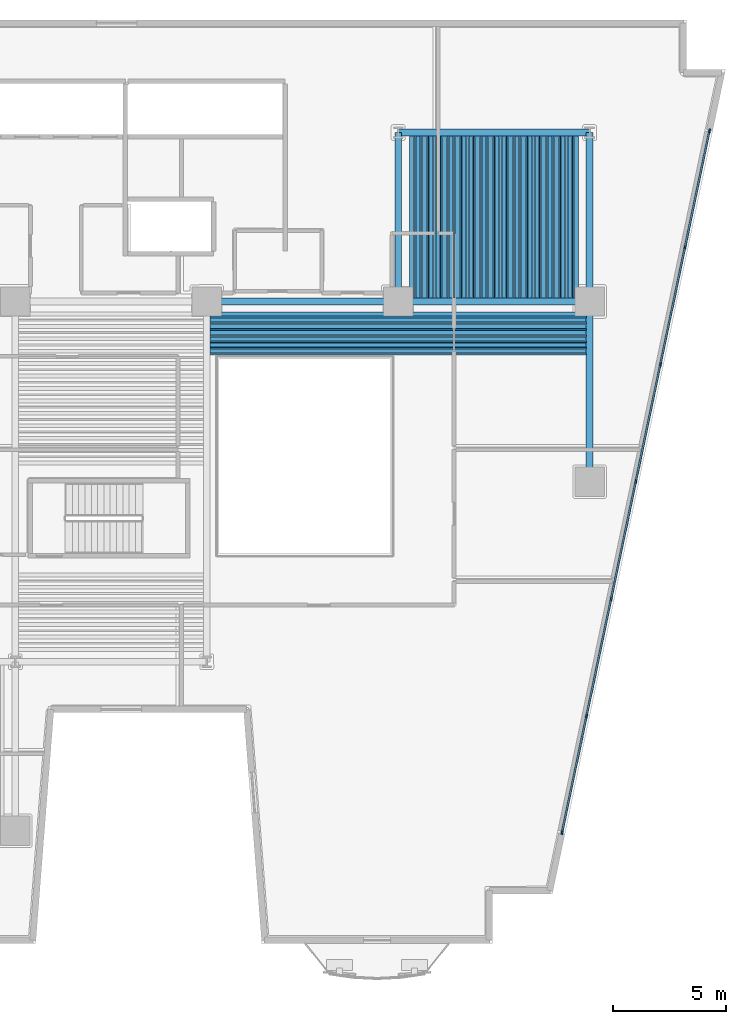
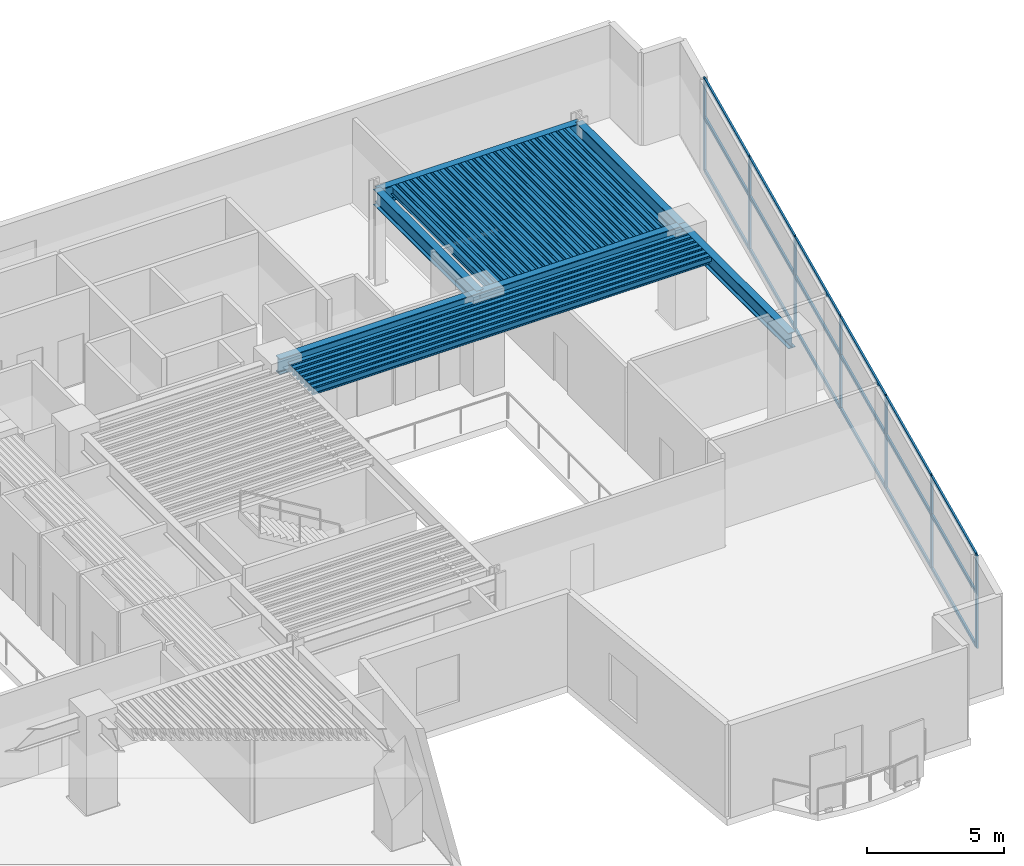
# One storey, part 2 of 11: 71 beams, 25 members, 1 element without a shape of its own.
"""IFC4 building model written with IfcOpenShell, lengths in metres."""

from ifc_helpers import new_model, si_unit, direction, frame, origin, origin_2d, place, context, subcontext, project, spatial, rectangle, hollow_rectangle, i_section, extrude, material, layer, layer_set, material_profile, profile_set, type_object, element, aggregate, save


model = new_model("IFC4")

# Units and contexts
model_context = context("Model", 3, precision=1e-05, world=origin(), true_north=direction((0.0, 1.0)))
body_context = subcontext(model_context, "Body", "Model", "MODEL_VIEW")
ifc_project = project(units=[si_unit("LENGTHUNIT", "METRE"), si_unit("AREAUNIT", "SQUARE_METRE"), si_unit("VOLUMEUNIT", "CUBIC_METRE"), si_unit("PLANEANGLEUNIT", "RADIAN"), si_unit("MASSUNIT", "GRAM", prefix="KILO")], contexts=[model_context])

# Site, building, storey
site_placement = place(None, origin())
site = spatial("IfcSite", under=ifc_project, at=site_placement, CompositionType="ELEMENT")
building_placement = place(site_placement, origin())
building = spatial("IfcBuilding", under=site, at=building_placement, Name="Caeloran Harvest Quay", CompositionType="ELEMENT")
storey_placement = place(building_placement, frame((0.0, 0.0, 75.39990234375)))
storey = spatial("IfcBuildingStorey", under=building, at=storey_placement, Name="L17", CompositionType="ELEMENT", Elevation=75.39990234375)

# Beams
ifc_material_1 = material(Name="Steel S355J2", Category="steel")
ifc_material_profile_1 = material_profile(ifc_material_1, i_section(OverallWidth=0.300048828125, OverallDepth=0.699951171875, WebThickness=0.01708984375, FlangeThickness=0.031982421875, FilletRadius=0.027099609375, at=origin_2d()), Name="HE 700 B")
ifc_profile_set_1 = profile_set([ifc_material_profile_1], Name="Steel S355J2")
beam_type_1 = type_object("IfcBeamType", Name="BM-PG-2-HE_700_B", PredefinedType="BEAM", material=ifc_profile_set_1)
for number, where, z_axis, x_axis, name in (
    (1, (34.0, 31.0, 3.76513671875), (1.0, 0.0, 0.0), (0.0, 1.0, 0.0), "L17 Primary East-West Girder Y=31.0"),
    (2, (42.5, 31.0, 3.76513671875), (1.0, 0.0, 0.0), (0.0, 1.0, 0.0), "L17 Primary East-West Girder Y=31.0"),
    (3, (42.5, 38.5, 3.76513671875), (1.0, 0.0, 0.0), (0.0, 1.0, 0.0), "L17 Primary East-West Girder Y=38.5"),
):
    element("IfcBeam", number, at=place(storey_placement, frame(where, z_axis=z_axis, x_axis=x_axis)), inside=storey, type_object=beam_type_1, Name=name, PredefinedType="BEAM", context=body_context, shape_type="SweptSolid", body=[
        extrude(i_section(OverallWidth=0.300048828125, OverallDepth=0.699951171875, WebThickness=0.01708984375, FlangeThickness=0.031982421875, FilletRadius=0.027099609375, at=origin_2d()), origin(), (0.0, 0.0, 1.0), 8.5),
    ])
beam_1_placement = place(storey_placement, frame((42.5, 31.0, 3.76513671875), z_axis=(0.0, 1.0, 0.0), x_axis=(-1.0, 0.0, 0.0)))
element("IfcBeam", 4, at=beam_1_placement, inside=storey, type_object=beam_type_1, Name="L17 Primary North-South Girder X=42.5", PredefinedType="BEAM", context=body_context, shape_type="SweptSolid", body=[
    extrude(i_section(OverallWidth=0.300048828125, OverallDepth=0.699951171875, WebThickness=0.01708984375, FlangeThickness=0.031982421875, FilletRadius=0.027099609375, at=origin_2d()), origin(), (0.0, 0.0, 1.0), 7.5),
])
beam_2_placement = place(storey_placement, frame((51.0, 23.0, 3.76513671875), z_axis=(0.0, 1.0, 0.0), x_axis=(-1.0, 0.0, 0.0)))
element("IfcBeam", 5, at=beam_2_placement, inside=storey, type_object=beam_type_1, Name="L17 Primary North-South Girder X=51.0", PredefinedType="BEAM", context=body_context, shape_type="SweptSolid", body=[
    extrude(i_section(OverallWidth=0.300048828125, OverallDepth=0.699951171875, WebThickness=0.01708984375, FlangeThickness=0.031982421875, FilletRadius=0.027099609375, at=origin_2d()), origin(), (0.0, 0.0, 1.0), 8.0),
])
beam_3_placement = place(storey_placement, frame((51.0, 31.0, 3.76513671875), z_axis=(0.0, 1.0, 0.0), x_axis=(-1.0, 0.0, 0.0)))
element("IfcBeam", 6, at=beam_3_placement, inside=storey, type_object=beam_type_1, Name="L17 Primary North-South Girder X=51.0", PredefinedType="BEAM", context=body_context, shape_type="SweptSolid", body=[
    extrude(i_section(OverallWidth=0.300048828125, OverallDepth=0.699951171875, WebThickness=0.01708984375, FlangeThickness=0.031982421875, FilletRadius=0.027099609375, at=origin_2d()), origin(), (0.0, 0.0, 1.0), 7.5),
])
ifc_material_profile_2 = material_profile(ifc_material_1, i_section(OverallWidth=0.169921875, OverallDepth=0.360107421875, WebThickness=0.008056640625, FlangeThickness=0.0126953125, FilletRadius=0.01806640625, at=origin_2d()), Name="IPE 360")
ifc_profile_set_2 = profile_set([ifc_material_profile_2], Name="Steel S355J2")
beam_type_2 = type_object("IfcBeamType", Name="BM-SB-5-IPE_360", PredefinedType="JOIST", material=ifc_profile_set_2)
for number, where, z_axis, x_axis, name in (
    (7, (43.086181640625, 31.14501953125, 3.93505859375), (0.0, 1.0, 0.0), (-1.0, 0.0, 0.0), "L17 Secondary Composite Joist"),
    (8, (43.37939453125, 31.14501953125, 3.93505859375), (0.0, 1.0, 0.0), (-1.0, 0.0, 0.0), "L17 Secondary Composite Joist"),
    (9, (43.67236328125, 31.14501953125, 3.93505859375), (0.0, 1.0, 0.0), (-1.0, 0.0, 0.0), "L17 Secondary Composite Joist"),
    (10, (43.965576171875, 31.14501953125, 3.93505859375), (0.0, 1.0, 0.0), (-1.0, 0.0, 0.0), "L17 Secondary Composite Joist"),
    (11, (44.258544921875, 31.14501953125, 3.93505859375), (0.0, 1.0, 0.0), (-1.0, 0.0, 0.0), "L17 Secondary Composite Joist"),
    (12, (44.5517578125, 31.14501953125, 3.93505859375), (0.0, 1.0, 0.0), (-1.0, 0.0, 0.0), "L17 Secondary Composite Joist"),
    (13, (44.8447265625, 31.14501953125, 3.93505859375), (0.0, 1.0, 0.0), (-1.0, 0.0, 0.0), "L17 Secondary Composite Joist"),
    (14, (45.137939453125, 31.14501953125, 3.93505859375), (0.0, 1.0, 0.0), (-1.0, 0.0, 0.0), "L17 Secondary Composite Joist"),
    (15, (45.430908203125, 31.14501953125, 3.93505859375), (0.0, 1.0, 0.0), (-1.0, 0.0, 0.0), "L17 Secondary Composite Joist"),
    (16, (45.72412109375, 31.14501953125, 3.93505859375), (0.0, 1.0, 0.0), (-1.0, 0.0, 0.0), "L17 Secondary Composite Joist"),
    (17, (46.01708984375, 31.14501953125, 3.93505859375), (0.0, 1.0, 0.0), (-1.0, 0.0, 0.0), "L17 Secondary Composite Joist"),
    (18, (46.310302734375, 31.14501953125, 3.93505859375), (0.0, 1.0, 0.0), (-1.0, 0.0, 0.0), "L17 Secondary Composite Joist"),
    (19, (46.603515625, 31.14501953125, 3.93505859375), (0.0, 1.0, 0.0), (-1.0, 0.0, 0.0), "L17 Secondary Composite Joist"),
    (20, (46.896484375, 31.14501953125, 3.93505859375), (0.0, 1.0, 0.0), (-1.0, 0.0, 0.0), "L17 Secondary Composite Joist"),
    (21, (47.189697265625, 31.14501953125, 3.93505859375), (0.0, 1.0, 0.0), (-1.0, 0.0, 0.0), "L17 Secondary Composite Joist"),
    (22, (47.48291015625, 31.14501953125, 3.93505859375), (0.0, 1.0, 0.0), (-1.0, 0.0, 0.0), "L17 Secondary Composite Joist"),
    (23, (47.77587890625, 31.14501953125, 3.93505859375), (0.0, 1.0, 0.0), (-1.0, 0.0, 0.0), "L17 Secondary Composite Joist"),
    (24, (48.069091796875, 31.14501953125, 3.93505859375), (0.0, 1.0, 0.0), (-1.0, 0.0, 0.0), "L17 Secondary Composite Joist"),
    (25, (48.362060546875, 31.14501953125, 3.93505859375), (0.0, 1.0, 0.0), (-1.0, 0.0, 0.0), "L17 Secondary Composite Joist"),
    (26, (48.6552734375, 31.14501953125, 3.93505859375), (0.0, 1.0, 0.0), (-1.0, 0.0, 0.0), "L17 Secondary Composite Joist"),
    (27, (48.9482421875, 31.14501953125, 3.93505859375), (0.0, 1.0, 0.0), (-1.0, 0.0, 0.0), "L17 Secondary Composite Joist"),
    (28, (49.241455078125, 31.14501953125, 3.93505859375), (0.0, 1.0, 0.0), (-1.0, 0.0, 0.0), "L17 Secondary Composite Joist"),
    (29, (49.534423828125, 31.14501953125, 3.93505859375), (0.0, 1.0, 0.0), (-1.0, 0.0, 0.0), "L17 Secondary Composite Joist"),
    (30, (49.82763671875, 31.14501953125, 3.93505859375), (0.0, 1.0, 0.0), (-1.0, 0.0, 0.0), "L17 Secondary Composite Joist"),
    (31, (50.12060546875, 31.14501953125, 3.93505859375), (0.0, 1.0, 0.0), (-1.0, 0.0, 0.0), "L17 Secondary Composite Joist"),
    (32, (50.413818359375, 31.14501953125, 3.93505859375), (0.0, 1.0, 0.0), (-1.0, 0.0, 0.0), "L17 Secondary Composite Joist"),
):
    element("IfcBeam", number, at=place(storey_placement, frame(where, z_axis=z_axis, x_axis=x_axis)), inside=storey, type_object=beam_type_2, Name=name, PredefinedType="JOIST", context=body_context, shape_type="SweptSolid", body=[
        extrude(i_section(OverallWidth=0.169921875, OverallDepth=0.360107421875, WebThickness=0.008056640625, FlangeThickness=0.0126953125, FilletRadius=0.01806640625, at=origin_2d()), origin(), (0.0, 0.0, 1.0), 7.2099609375),
    ])
for number, where, z_axis, x_axis, name in (
    (33, (34.14501953125, 28.793212890625, 3.93505859375), (1.0, 0.0, 0.0), (0.0, 1.0, 0.0), "L17 Secondary East-West Composite Joist"),
    (34, (34.14501953125, 29.069091796875, 3.93505859375), (1.0, 0.0, 0.0), (0.0, 1.0, 0.0), "L17 Secondary East-West Composite Joist"),
    (35, (34.14501953125, 29.3447265625, 3.93505859375), (1.0, 0.0, 0.0), (0.0, 1.0, 0.0), "L17 Secondary East-West Composite Joist"),
    (36, (34.14501953125, 29.62060546875, 3.93505859375), (1.0, 0.0, 0.0), (0.0, 1.0, 0.0), "L17 Secondary East-West Composite Joist"),
    (37, (34.14501953125, 29.896484375, 3.93505859375), (1.0, 0.0, 0.0), (0.0, 1.0, 0.0), "L17 Secondary East-West Composite Joist"),
    (38, (34.14501953125, 30.17236328125, 3.93505859375), (1.0, 0.0, 0.0), (0.0, 1.0, 0.0), "L17 Secondary East-West Composite Joist"),
    (39, (34.14501953125, 30.4482421875, 3.93505859375), (1.0, 0.0, 0.0), (0.0, 1.0, 0.0), "L17 Secondary East-West Composite Joist"),
):
    element("IfcBeam", number, at=place(storey_placement, frame(where, z_axis=z_axis, x_axis=x_axis)), inside=storey, type_object=beam_type_2, Name=name, PredefinedType="JOIST", context=body_context, shape_type="SweptSolid", body=[
        extrude(i_section(OverallWidth=0.169921875, OverallDepth=0.360107421875, WebThickness=0.008056640625, FlangeThickness=0.0126953125, FilletRadius=0.01806640625, at=origin_2d()), origin(), (0.0, 0.0, 1.0), 16.7099609375),
    ])
ifc_material_profile_3 = material_profile(ifc_material_1, hollow_rectangle(XDim=0.080078125, YDim=0.199951171875, WallThickness=0.006103515625, InnerFilletRadius=0.006103515625, OuterFilletRadius=0.009033203125, at=origin_2d()), Name="RHS 200x80x6")
ifc_profile_set_3 = profile_set([ifc_material_profile_3], Name="Steel S355J2")
beam_type_3 = type_object("IfcBeamType", Name="BM-SB-7-RHS_200x80x6", PredefinedType="JOIST", material=ifc_profile_set_3)
for number, where, z_axis, x_axis, name in (
    (40, (43.23291015625, 31.14501953125, 4.01513671875), (0.0, 1.0, 0.0), (-1.0, 0.0, 0.0), "L17 Secondary Composite Joist"),
    (41, (43.52587890625, 31.14501953125, 4.01513671875), (0.0, 1.0, 0.0), (-1.0, 0.0, 0.0), "L17 Secondary Composite Joist"),
    (42, (43.819091796875, 31.14501953125, 4.01513671875), (0.0, 1.0, 0.0), (-1.0, 0.0, 0.0), "L17 Secondary Composite Joist"),
    (43, (44.112060546875, 31.14501953125, 4.01513671875), (0.0, 1.0, 0.0), (-1.0, 0.0, 0.0), "L17 Secondary Composite Joist"),
    (44, (44.4052734375, 31.14501953125, 4.01513671875), (0.0, 1.0, 0.0), (-1.0, 0.0, 0.0), "L17 Secondary Composite Joist"),
    (45, (44.6982421875, 31.14501953125, 4.01513671875), (0.0, 1.0, 0.0), (-1.0, 0.0, 0.0), "L17 Secondary Composite Joist"),
    (46, (44.991455078125, 31.14501953125, 4.01513671875), (0.0, 1.0, 0.0), (-1.0, 0.0, 0.0), "L17 Secondary Composite Joist"),
    (47, (45.284423828125, 31.14501953125, 4.01513671875), (0.0, 1.0, 0.0), (-1.0, 0.0, 0.0), "L17 Secondary Composite Joist"),
    (48, (45.57763671875, 31.14501953125, 4.01513671875), (0.0, 1.0, 0.0), (-1.0, 0.0, 0.0), "L17 Secondary Composite Joist"),
    (49, (45.87060546875, 31.14501953125, 4.01513671875), (0.0, 1.0, 0.0), (-1.0, 0.0, 0.0), "L17 Secondary Composite Joist"),
    (50, (46.163818359375, 31.14501953125, 4.01513671875), (0.0, 1.0, 0.0), (-1.0, 0.0, 0.0), "L17 Secondary Composite Joist"),
    (51, (46.456787109375, 31.14501953125, 4.01513671875), (0.0, 1.0, 0.0), (-1.0, 0.0, 0.0), "L17 Secondary Composite Joist"),
    (52, (46.75, 31.14501953125, 4.01513671875), (0.0, 1.0, 0.0), (-1.0, 0.0, 0.0), "L17 Secondary Composite Joist"),
    (53, (47.043212890625, 31.14501953125, 4.01513671875), (0.0, 1.0, 0.0), (-1.0, 0.0, 0.0), "L17 Secondary Composite Joist"),
    (54, (47.336181640625, 31.14501953125, 4.01513671875), (0.0, 1.0, 0.0), (-1.0, 0.0, 0.0), "L17 Secondary Composite Joist"),
    (55, (47.62939453125, 31.14501953125, 4.01513671875), (0.0, 1.0, 0.0), (-1.0, 0.0, 0.0), "L17 Secondary Composite Joist"),
    (56, (47.92236328125, 31.14501953125, 4.01513671875), (0.0, 1.0, 0.0), (-1.0, 0.0, 0.0), "L17 Secondary Composite Joist"),
    (57, (48.215576171875, 31.14501953125, 4.01513671875), (0.0, 1.0, 0.0), (-1.0, 0.0, 0.0), "L17 Secondary Composite Joist"),
    (58, (48.508544921875, 31.14501953125, 4.01513671875), (0.0, 1.0, 0.0), (-1.0, 0.0, 0.0), "L17 Secondary Composite Joist"),
    (59, (48.8017578125, 31.14501953125, 4.01513671875), (0.0, 1.0, 0.0), (-1.0, 0.0, 0.0), "L17 Secondary Composite Joist"),
    (60, (49.0947265625, 31.14501953125, 4.01513671875), (0.0, 1.0, 0.0), (-1.0, 0.0, 0.0), "L17 Secondary Composite Joist"),
    (61, (49.387939453125, 31.14501953125, 4.01513671875), (0.0, 1.0, 0.0), (-1.0, 0.0, 0.0), "L17 Secondary Composite Joist"),
    (62, (49.680908203125, 31.14501953125, 4.01513671875), (0.0, 1.0, 0.0), (-1.0, 0.0, 0.0), "L17 Secondary Composite Joist"),
    (63, (49.97412109375, 31.14501953125, 4.01513671875), (0.0, 1.0, 0.0), (-1.0, 0.0, 0.0), "L17 Secondary Composite Joist"),
    (64, (50.26708984375, 31.14501953125, 4.01513671875), (0.0, 1.0, 0.0), (-1.0, 0.0, 0.0), "L17 Secondary Composite Joist"),
):
    element("IfcBeam", number, at=place(storey_placement, frame(where, z_axis=z_axis, x_axis=x_axis)), inside=storey, type_object=beam_type_3, Name=name, PredefinedType="JOIST", context=body_context, shape_type="SweptSolid", body=[
        extrude(hollow_rectangle(XDim=0.080078125, YDim=0.199951171875, WallThickness=0.006103515625, InnerFilletRadius=0.006103515625, OuterFilletRadius=0.009033203125, at=origin_2d()), origin(), (0.0, 0.0, 1.0), 7.2099609375),
    ])
for number, where, z_axis, x_axis, name in (
    (65, (34.14501953125, 28.6552734375, 4.01513671875), (1.0, 0.0, 0.0), (0.0, 1.0, 0.0), "L17 Secondary East-West Composite Joist"),
    (66, (34.14501953125, 28.930908203125, 4.01513671875), (1.0, 0.0, 0.0), (0.0, 1.0, 0.0), "L17 Secondary East-West Composite Joist"),
    (67, (34.14501953125, 29.206787109375, 4.01513671875), (1.0, 0.0, 0.0), (0.0, 1.0, 0.0), "L17 Secondary East-West Composite Joist"),
    (68, (34.14501953125, 29.48291015625, 4.01513671875), (1.0, 0.0, 0.0), (0.0, 1.0, 0.0), "L17 Secondary East-West Composite Joist"),
    (69, (34.14501953125, 29.758544921875, 4.01513671875), (1.0, 0.0, 0.0), (0.0, 1.0, 0.0), "L17 Secondary East-West Composite Joist"),
    (70, (34.14501953125, 30.034423828125, 4.01513671875), (1.0, 0.0, 0.0), (0.0, 1.0, 0.0), "L17 Secondary East-West Composite Joist"),
    (71, (34.14501953125, 30.310302734375, 4.01513671875), (1.0, 0.0, 0.0), (0.0, 1.0, 0.0), "L17 Secondary East-West Composite Joist"),
):
    element("IfcBeam", number, at=place(storey_placement, frame(where, z_axis=z_axis, x_axis=x_axis)), inside=storey, type_object=beam_type_3, Name=name, PredefinedType="JOIST", context=body_context, shape_type="SweptSolid", body=[
        extrude(hollow_rectangle(XDim=0.080078125, YDim=0.199951171875, WallThickness=0.006103515625, InnerFilletRadius=0.006103515625, OuterFilletRadius=0.009033203125, at=origin_2d()), origin(), (0.0, 0.0, 1.0), 16.7099609375),
    ])

# Curtain wall, members
ifc_material_2 = material(Name="Aluminium 6063-T6 and Low-E Glazing", Category="aluminium")
ifc_layer = layer(ifc_material_2, 0.199951171875, Name="Aluminium 6063-T6 and Low-E Glazing")
ifc_layer_set = layer_set([ifc_layer], Name="Aluminium 6063-T6 and Low-E Glazing")
curtain_wall_type = type_object("IfcCurtainWallType", Name="CW-SYS-CW-2", PredefinedType="USERDEFINED", material=ifc_layer_set)
curtain_wall_placement = place(storey_placement, origin())
curtain_wall = element("IfcCurtainWall", 72, at=curtain_wall_placement, inside=storey, type_object=curtain_wall_type, Name="L17 Unitised Curtain Wall CW-2 Run 9", ObjectType="CURTAIN_WALL", PredefinedType="USERDEFINED")
ifc_material_3 = material(Name="Aluminium 6063-T6", Category="aluminium")
ifc_material_profile_4 = material_profile(ifc_material_3, rectangle(XDim=0.080078125, YDim=0.179931640625, at=origin_2d()), Name="CW-MULLION-180")
ifc_profile_set_4 = profile_set([ifc_material_profile_4], Name="Aluminium 6063-T6")
member_type_1 = type_object("IfcMemberType", Name="CW-MULLION-180", PredefinedType="MULLION", material=ifc_profile_set_4)
member_1_placement = place(storey_placement, frame((56.322509765625, 38.576416015625, 0.0), z_axis=(0.0, 0.0, 1.0), x_axis=(0.978639691881, -0.205582960081, 0.0)))
member_1 = element("IfcMember", 73, at=member_1_placement, type_object=member_type_1, Name="CW-2 mullion 1", PredefinedType="MULLION", context=body_context, shape_type="SweptSolid", body=[
    extrude(rectangle(XDim=0.080078125, YDim=0.179931640625, at=origin_2d()), origin(), (0.0, 0.0, 1.0), 4.114990234375),
])
member_2_placement = place(storey_placement, frame((55.2373046875, 33.410400390625, 0.0), z_axis=(0.0, 0.0, 1.0), x_axis=(0.978639691881, -0.205582960081, 0.0)))
member_2 = element("IfcMember", 74, at=member_2_placement, type_object=member_type_1, Name="CW-2 mullion 2", PredefinedType="MULLION", context=body_context, shape_type="SweptSolid", body=[
    extrude(rectangle(XDim=0.080078125, YDim=0.179931640625, at=origin_2d()), origin(), (0.0, 0.0, 1.0), 4.114990234375),
])
member_3_placement = place(storey_placement, frame((54.143798828125, 28.205078125, 0.0), z_axis=(0.0, 0.0, 1.0), x_axis=(0.978639691881, -0.205582960081, 0.0)))
member_3 = element("IfcMember", 75, at=member_3_placement, type_object=member_type_1, Name="CW-2 mullion 3", PredefinedType="MULLION", context=body_context, shape_type="SweptSolid", body=[
    extrude(rectangle(XDim=0.080078125, YDim=0.179931640625, at=origin_2d()), origin(), (0.0, 0.0, 1.0), 4.114990234375),
])
member_4_placement = place(storey_placement, frame((53.050537109375, 23.0, 0.0), z_axis=(0.0, 0.0, 1.0), x_axis=(0.978639691881, -0.205582960081, 0.0)))
member_4 = element("IfcMember", 76, at=member_4_placement, type_object=member_type_1, Name="CW-2 mullion 4", PredefinedType="MULLION", context=body_context, shape_type="SweptSolid", body=[
    extrude(rectangle(XDim=0.080078125, YDim=0.179931640625, at=origin_2d()), origin(), (0.0, 0.0, 1.0), 4.114990234375),
])
member_5_placement = place(storey_placement, frame((51.95703125, 17.794921875, 0.0), z_axis=(0.0, 0.0, 1.0), x_axis=(0.978639691881, -0.205582960081, 0.0)))
member_5 = element("IfcMember", 77, at=member_5_placement, type_object=member_type_1, Name="CW-2 mullion 5", PredefinedType="MULLION", context=body_context, shape_type="SweptSolid", body=[
    extrude(rectangle(XDim=0.080078125, YDim=0.179931640625, at=origin_2d()), origin(), (0.0, 0.0, 1.0), 4.114990234375),
])
member_6_placement = place(storey_placement, frame((50.863525390625, 12.589599609375, 0.0), z_axis=(0.0, 0.0, 1.0), x_axis=(0.978639691881, -0.205582960081, 0.0)))
member_6 = element("IfcMember", 78, at=member_6_placement, type_object=member_type_1, Name="CW-2 mullion 6", PredefinedType="MULLION", context=body_context, shape_type="SweptSolid", body=[
    extrude(rectangle(XDim=0.080078125, YDim=0.179931640625, at=origin_2d()), origin(), (0.0, 0.0, 1.0), 4.114990234375),
])
member_7_placement = place(storey_placement, frame((49.7783203125, 7.423583984375, 0.0), z_axis=(0.0, 0.0, 1.0), x_axis=(0.978639691881, -0.205582960081, 0.0)))
member_7 = element("IfcMember", 79, at=member_7_placement, type_object=member_type_1, Name="CW-2 mullion 7", PredefinedType="MULLION", context=body_context, shape_type="SweptSolid", body=[
    extrude(rectangle(XDim=0.080078125, YDim=0.179931640625, at=origin_2d()), origin(), (0.0, 0.0, 1.0), 4.114990234375),
])
ifc_material_profile_5 = material_profile(ifc_material_3, rectangle(XDim=0.080078125, YDim=0.14990234375, at=origin_2d()), Name="CW-TRANSOM-150")
ifc_profile_set_5 = profile_set([ifc_material_profile_5], Name="Aluminium 6063-T6")
member_type_2 = type_object("IfcMemberType", Name="CW-TRANSOM-150", PredefinedType="USERDEFINED", material=ifc_profile_set_5)
member_8_placement = place(storey_placement, frame((56.314453125, 38.537109375, 0.0400390625), z_axis=(-0.205598644178, -0.978636396989, 0.0), x_axis=(0.978636396989, -0.205598644178, 0.0)))
member_8 = element("IfcMember", 80, at=member_8_placement, type_object=member_type_2, Name="CW-2 transom 1.1", ObjectType="TRANSOM", PredefinedType="USERDEFINED", context=body_context, shape_type="SweptSolid", body=[
    extrude(rectangle(XDim=0.080078125, YDim=0.14990234375, at=origin_2d()), origin(), (0.0, 0.0, 1.0), 5.19873046875),
])
member_9_placement = place(storey_placement, frame((56.314453125, 38.537109375, 2.400146484375), z_axis=(-0.205598644178, -0.978636396989, 0.0), x_axis=(0.978636396989, -0.205598644178, 0.0)))
member_9 = element("IfcMember", 81, at=member_9_placement, type_object=member_type_2, Name="CW-2 transom 1.2", ObjectType="TRANSOM", PredefinedType="USERDEFINED", context=body_context, shape_type="SweptSolid", body=[
    extrude(rectangle(XDim=0.080078125, YDim=0.14990234375, at=origin_2d()), origin(), (0.0, 0.0, 1.0), 5.19873046875),
])
member_10_placement = place(storey_placement, frame((56.314453125, 38.537109375, 4.0751953125), z_axis=(-0.205598644178, -0.978636396989, 0.0), x_axis=(0.978636396989, -0.205598644178, 0.0)))
member_10 = element("IfcMember", 82, at=member_10_placement, type_object=member_type_2, Name="CW-2 transom 1.3", ObjectType="TRANSOM", PredefinedType="USERDEFINED", context=body_context, shape_type="SweptSolid", body=[
    extrude(rectangle(XDim=0.080078125, YDim=0.14990234375, at=origin_2d()), origin(), (0.0, 0.0, 1.0), 5.19873046875),
])
member_11_placement = place(storey_placement, frame((55.229248046875, 33.37109375, 0.0400390625), z_axis=(-0.205615877389, -0.97863277636, 0.0), x_axis=(0.97863277636, -0.205615877389, 0.0)))
member_11 = element("IfcMember", 83, at=member_11_placement, type_object=member_type_2, Name="CW-2 transom 2.1", ObjectType="TRANSOM", PredefinedType="USERDEFINED", context=body_context, shape_type="SweptSolid", body=[
    extrude(rectangle(XDim=0.080078125, YDim=0.14990234375, at=origin_2d()), origin(), (0.0, 0.0, 1.0), 5.238525390625),
])
member_12_placement = place(storey_placement, frame((55.229248046875, 33.37109375, 2.400146484375), z_axis=(-0.205615877389, -0.97863277636, 0.0), x_axis=(0.97863277636, -0.205615877389, 0.0)))
member_12 = element("IfcMember", 84, at=member_12_placement, type_object=member_type_2, Name="CW-2 transom 2.2", ObjectType="TRANSOM", PredefinedType="USERDEFINED", context=body_context, shape_type="SweptSolid", body=[
    extrude(rectangle(XDim=0.080078125, YDim=0.14990234375, at=origin_2d()), origin(), (0.0, 0.0, 1.0), 5.238525390625),
])
member_13_placement = place(storey_placement, frame((55.229248046875, 33.37109375, 4.0751953125), z_axis=(-0.205615877389, -0.97863277636, 0.0), x_axis=(0.97863277636, -0.205615877389, 0.0)))
member_13 = element("IfcMember", 85, at=member_13_placement, type_object=member_type_2, Name="CW-2 transom 2.3", ObjectType="TRANSOM", PredefinedType="USERDEFINED", context=body_context, shape_type="SweptSolid", body=[
    extrude(rectangle(XDim=0.080078125, YDim=0.14990234375, at=origin_2d()), origin(), (0.0, 0.0, 1.0), 5.238525390625),
])
member_14_placement = place(storey_placement, frame((54.1357421875, 28.166015625, 0.0400390625), z_axis=(-0.205606500081, -0.978634746534, 0.0), x_axis=(0.978634746534, -0.205606500081, 0.0)))
member_14 = element("IfcMember", 86, at=member_14_placement, type_object=member_type_2, Name="CW-2 transom 3.1", ObjectType="TRANSOM", PredefinedType="USERDEFINED", context=body_context, shape_type="SweptSolid", body=[
    extrude(rectangle(XDim=0.080078125, YDim=0.14990234375, at=origin_2d()), origin(), (0.0, 0.0, 1.0), 5.23876953125),
])
member_15_placement = place(storey_placement, frame((54.1357421875, 28.166015625, 2.400146484375), z_axis=(-0.205606500081, -0.978634746534, 0.0), x_axis=(0.978634746534, -0.205606500081, 0.0)))
member_15 = element("IfcMember", 87, at=member_15_placement, type_object=member_type_2, Name="CW-2 transom 3.2", ObjectType="TRANSOM", PredefinedType="USERDEFINED", context=body_context, shape_type="SweptSolid", body=[
    extrude(rectangle(XDim=0.080078125, YDim=0.14990234375, at=origin_2d()), origin(), (0.0, 0.0, 1.0), 5.23876953125),
])
member_16_placement = place(storey_placement, frame((54.1357421875, 28.166015625, 4.0751953125), z_axis=(-0.205606500081, -0.978634746534, 0.0), x_axis=(0.978634746534, -0.205606500081, 0.0)))
member_16 = element("IfcMember", 88, at=member_16_placement, type_object=member_type_2, Name="CW-2 transom 3.3", ObjectType="TRANSOM", PredefinedType="USERDEFINED", context=body_context, shape_type="SweptSolid", body=[
    extrude(rectangle(XDim=0.080078125, YDim=0.14990234375, at=origin_2d()), origin(), (0.0, 0.0, 1.0), 5.23876953125),
])
member_17_placement = place(storey_placement, frame((53.042236328125, 22.9609375, 0.0400390625), z_axis=(-0.205561867825, -0.978644122496, 0.0), x_axis=(0.978644122496, -0.205561867825, 0.0)))
member_17 = element("IfcMember", 89, at=member_17_placement, type_object=member_type_2, Name="CW-2 transom 4.1", ObjectType="TRANSOM", PredefinedType="USERDEFINED", context=body_context, shape_type="SweptSolid", body=[
    extrude(rectangle(XDim=0.080078125, YDim=0.14990234375, at=origin_2d()), origin(), (0.0, 0.0, 1.0), 5.23876953125),
])
member_18_placement = place(storey_placement, frame((53.042236328125, 22.9609375, 2.400146484375), z_axis=(-0.205561867825, -0.978644122496, 0.0), x_axis=(0.978644122496, -0.205561867825, 0.0)))
member_18 = element("IfcMember", 90, at=member_18_placement, type_object=member_type_2, Name="CW-2 transom 4.2", ObjectType="TRANSOM", PredefinedType="USERDEFINED", context=body_context, shape_type="SweptSolid", body=[
    extrude(rectangle(XDim=0.080078125, YDim=0.14990234375, at=origin_2d()), origin(), (0.0, 0.0, 1.0), 5.23876953125),
])
member_19_placement = place(storey_placement, frame((53.042236328125, 22.9609375, 4.0751953125), z_axis=(-0.205561867825, -0.978644122496, 0.0), x_axis=(0.978644122496, -0.205561867825, 0.0)))
member_19 = element("IfcMember", 91, at=member_19_placement, type_object=member_type_2, Name="CW-2 transom 4.3", ObjectType="TRANSOM", PredefinedType="USERDEFINED", context=body_context, shape_type="SweptSolid", body=[
    extrude(rectangle(XDim=0.080078125, YDim=0.14990234375, at=origin_2d()), origin(), (0.0, 0.0, 1.0), 5.23876953125),
])
member_20_placement = place(storey_placement, frame((51.94873046875, 17.755615234375, 0.0400390625), z_axis=(-0.205571243277, -0.978642153158, 0.0), x_axis=(0.978642153158, -0.205571243277, 0.0)))
member_20 = element("IfcMember", 92, at=member_20_placement, type_object=member_type_2, Name="CW-2 transom 5.1", ObjectType="TRANSOM", PredefinedType="USERDEFINED", context=body_context, shape_type="SweptSolid", body=[
    extrude(rectangle(XDim=0.080078125, YDim=0.14990234375, at=origin_2d()), origin(), (0.0, 0.0, 1.0), 5.238525390625),
])
member_21_placement = place(storey_placement, frame((51.94873046875, 17.755615234375, 2.400146484375), z_axis=(-0.205571243277, -0.978642153158, 0.0), x_axis=(0.978642153158, -0.205571243277, 0.0)))
member_21 = element("IfcMember", 93, at=member_21_placement, type_object=member_type_2, Name="CW-2 transom 5.2", ObjectType="TRANSOM", PredefinedType="USERDEFINED", context=body_context, shape_type="SweptSolid", body=[
    extrude(rectangle(XDim=0.080078125, YDim=0.14990234375, at=origin_2d()), origin(), (0.0, 0.0, 1.0), 5.238525390625),
])
member_22_placement = place(storey_placement, frame((51.94873046875, 17.755615234375, 4.0751953125), z_axis=(-0.205571243277, -0.978642153158, 0.0), x_axis=(0.978642153158, -0.205571243277, 0.0)))
member_22 = element("IfcMember", 94, at=member_22_placement, type_object=member_type_2, Name="CW-2 transom 5.3", ObjectType="TRANSOM", PredefinedType="USERDEFINED", context=body_context, shape_type="SweptSolid", body=[
    extrude(rectangle(XDim=0.080078125, YDim=0.14990234375, at=origin_2d()), origin(), (0.0, 0.0, 1.0), 5.238525390625),
])
member_23_placement = place(storey_placement, frame((50.855224609375, 12.550537109375, 0.0400390625), z_axis=(-0.205553666865, -0.978645845052, 0.0), x_axis=(0.978645845052, -0.205553666865, 0.0)))
member_23 = element("IfcMember", 95, at=member_23_placement, type_object=member_type_2, Name="CW-2 transom 6.1", ObjectType="TRANSOM", PredefinedType="USERDEFINED", context=body_context, shape_type="SweptSolid", body=[
    extrude(rectangle(XDim=0.080078125, YDim=0.14990234375, at=origin_2d()), origin(), (0.0, 0.0, 1.0), 5.19873046875),
])
member_24_placement = place(storey_placement, frame((50.855224609375, 12.550537109375, 2.400146484375), z_axis=(-0.205553666865, -0.978645845052, 0.0), x_axis=(0.978645845052, -0.205553666865, 0.0)))
member_24 = element("IfcMember", 96, at=member_24_placement, type_object=member_type_2, Name="CW-2 transom 6.2", ObjectType="TRANSOM", PredefinedType="USERDEFINED", context=body_context, shape_type="SweptSolid", body=[
    extrude(rectangle(XDim=0.080078125, YDim=0.14990234375, at=origin_2d()), origin(), (0.0, 0.0, 1.0), 5.19873046875),
])
member_25_placement = place(storey_placement, frame((50.855224609375, 12.550537109375, 4.0751953125), z_axis=(-0.205553666865, -0.978645845052, 0.0), x_axis=(0.978645845052, -0.205553666865, 0.0)))
member_25 = element("IfcMember", 97, at=member_25_placement, type_object=member_type_2, Name="CW-2 transom 6.3", ObjectType="TRANSOM", PredefinedType="USERDEFINED", context=body_context, shape_type="SweptSolid", body=[
    extrude(rectangle(XDim=0.080078125, YDim=0.14990234375, at=origin_2d()), origin(), (0.0, 0.0, 1.0), 5.19873046875),
])
aggregate(curtain_wall, [member_1, member_2, member_3, member_4, member_5, member_6, member_7, member_8, member_9, member_10, member_11, member_12, member_13, member_14, member_15, member_16, member_17, member_18, member_19, member_20, member_21, member_22, member_23, member_24, member_25])

save(model, "model.ifc")
